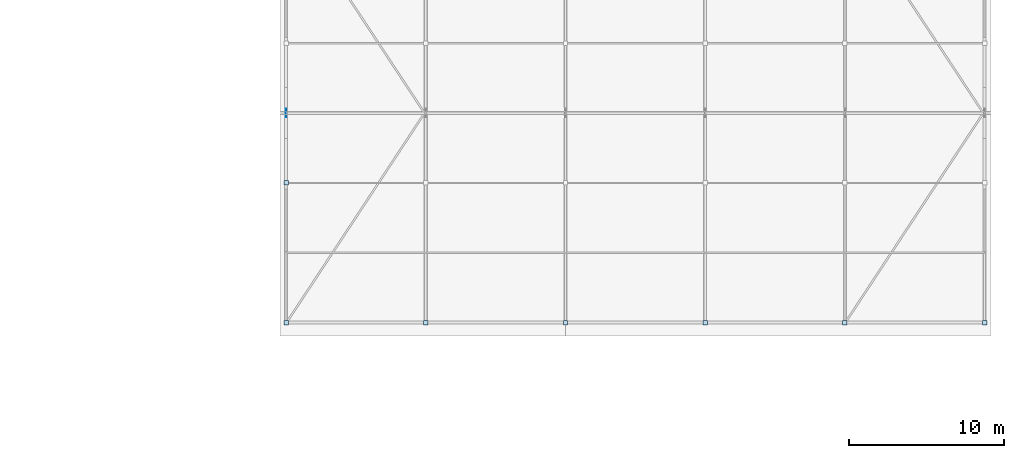
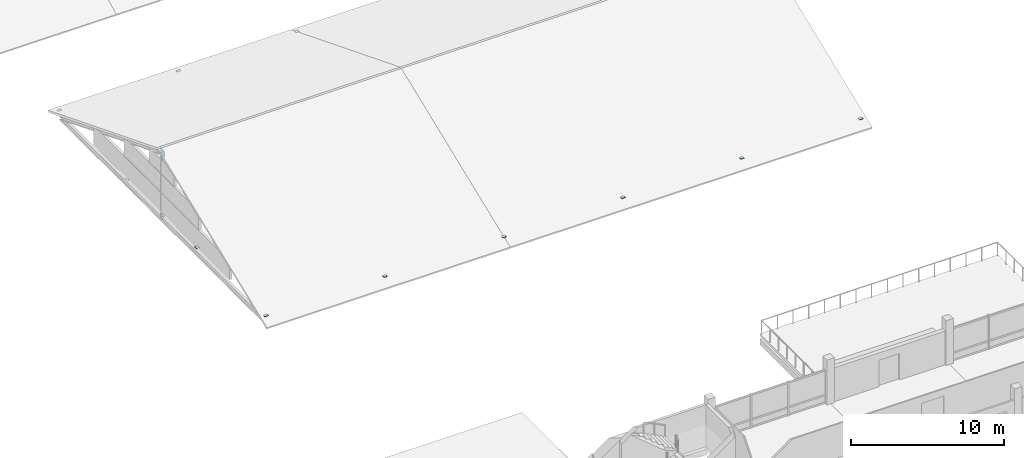
# One storey, part 98 of 132: 8 plates.
"""IFC4 building model written with IfcOpenShell, lengths in metres."""

from ifc_helpers import new_model, si_unit, direction, frame, origin, origin_2d, place, context, subcontext, project, spatial, rectangle, extrude, material, layer, layer_set, type_object, element, save


model = new_model("IFC4")

# Units and contexts
model_context = context("Model", 3, precision=1e-05, world=origin(), true_north=direction((0.0, 1.0)))
body_context = subcontext(model_context, "Body", "Model", "MODEL_VIEW")
ifc_project = project(units=[si_unit("LENGTHUNIT", "METRE"), si_unit("AREAUNIT", "SQUARE_METRE"), si_unit("VOLUMEUNIT", "CUBIC_METRE"), si_unit("PLANEANGLEUNIT", "RADIAN"), si_unit("MASSUNIT", "GRAM", prefix="KILO")], contexts=[model_context])

# Site, building, storey
site_placement = place(None, origin())
site = spatial("IfcSite", under=ifc_project, at=site_placement, CompositionType="ELEMENT")
building_placement = place(site_placement, origin())
building = spatial("IfcBuilding", under=site, at=building_placement, Name="Tharagai Park Tramway Depot", CompositionType="ELEMENT")
storey_placement = place(building_placement, frame((0.0, 0.0, 4.800048828125)))
storey = spatial("IfcBuildingStorey", under=building, at=storey_placement, Name="L01", CompositionType="ELEMENT", Elevation=4.800048828125)

# Plates
ifc_material = material(Name="Steel E350", Category="steel")
ifc_layer_1 = layer(ifc_material, 0.02392578125)
ifc_layer_set_1 = layer_set([ifc_layer_1], Name="Steel E350")
plate_type_1 = type_object("IfcPlateType", Name="GP-01", PredefinedType="SHEET", material=ifc_layer_set_1)
for number, where, z_axis, x_axis, name in (
    (1, (171.0, 54.0, -0.008056640625), (0.0, 0.0, 1.0), (1.0, 0.0, 0.0), "Column Top Cap Plate GP-01 (171,54)"),
    (2, (171.0, 63.0, -0.008056640625), (0.0, 0.0, 1.0), (1.0, 0.0, 0.0), "Column Top Cap Plate GP-01 (171,63)"),
    (3, (180.0, 54.0, -0.008056640625), (0.0, 0.0, 1.0), (1.0, 0.0, 0.0), "Column Top Cap Plate GP-01 (180,54)"),
    (4, (189.0, 54.0, -0.008056640625), (0.0, 0.0, 1.0), (1.0, 0.0, 0.0), "Column Top Cap Plate GP-01 (189,54)"),
    (5, (198.0, 54.0, -0.008056640625), (0.0, 0.0, 1.0), (1.0, 0.0, 0.0), "Column Top Cap Plate GP-01 (198,54)"),
    (6, (207.0, 54.0, -0.008056640625), (0.0, 0.0, 1.0), (1.0, 0.0, 0.0), "Column Top Cap Plate GP-01 (207,54)"),
    (7, (216.0, 54.0, -0.008056640625), (0.0, 0.0, 1.0), (1.0, 0.0, 0.0), "Column Top Cap Plate GP-01 (216,54)"),
):
    element("IfcPlate", number, at=place(storey_placement, frame(where, z_axis=z_axis, x_axis=x_axis)), inside=storey, type_object=plate_type_1, Name=name, PredefinedType="SHEET", context=body_context, shape_type="SweptSolid", body=[
        extrude(rectangle(XDim=0.280029296875, YDim=0.280029296875, at=origin_2d()), origin(), (0.0, 0.0, 1.0), 0.02392578125),
    ])
ifc_layer_2 = layer(ifc_material, 0.01611328125)
ifc_layer_set_2 = layer_set([ifc_layer_2], Name="Steel E350")
plate_type_2 = type_object("IfcPlateType", Name="GP-03", PredefinedType="SHEET", material=ifc_layer_set_2)
plate_placement = place(storey_placement, frame((171.0, 67.5, 4.615234375), z_axis=(0.0, 0.0, 1.0), x_axis=(1.0, 0.0, 0.0)))
element("IfcPlate", 8, at=plate_placement, inside=storey, type_object=plate_type_2, Name="V6 Ridge Gusset Plate GP-03", PredefinedType="SHEET", context=body_context, shape_type="SweptSolid", body=[
    extrude(rectangle(XDim=0.01611328125, YDim=0.550048828125, at=origin_2d()), origin(), (0.0, 0.0, 1.0), 0.449951171875),
])

save(model, "model.ifc")
